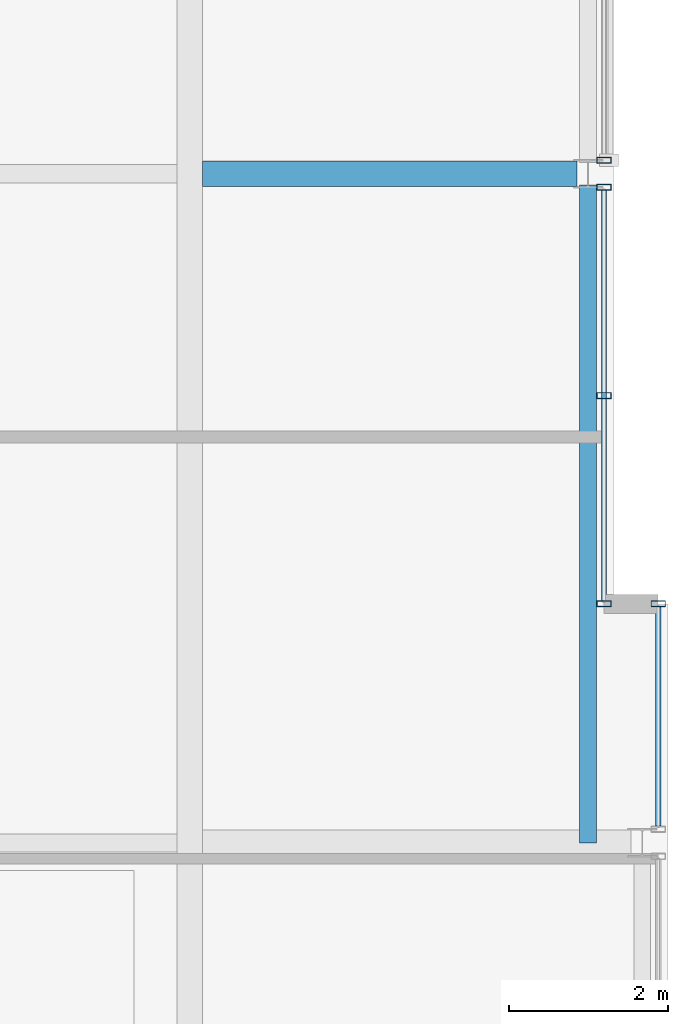
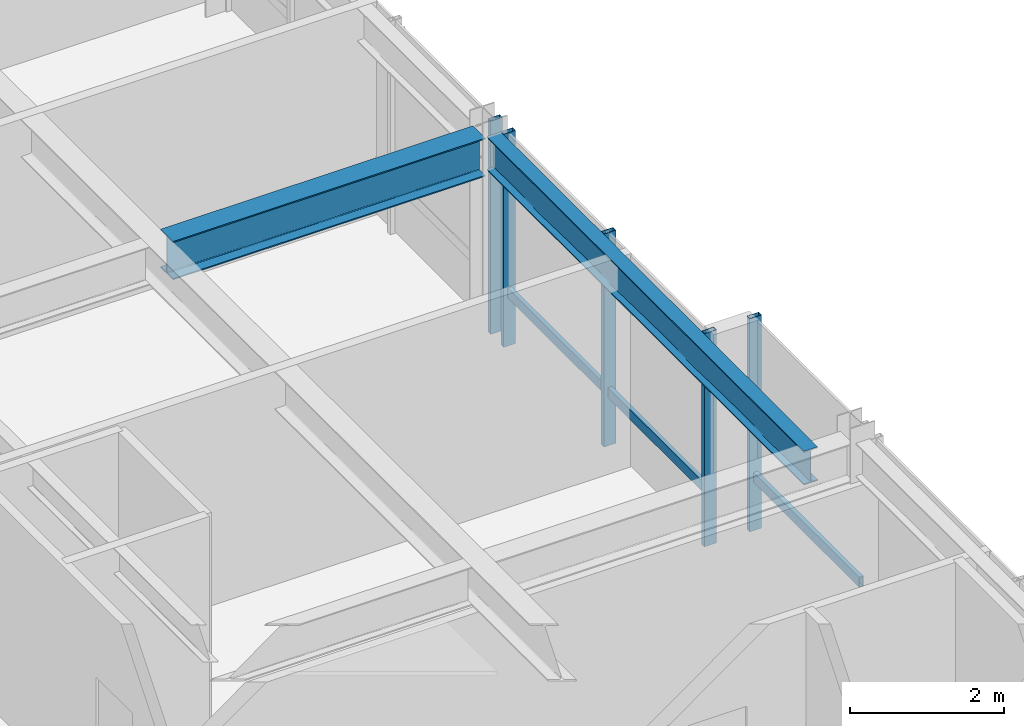
# One storey, part 18 of 34: 7 members, 2 beams, 3 elements without a shape of their own.
"""IFC4 building model written with IfcOpenShell, lengths in metres."""

from ifc_helpers import new_model, si_unit, direction, frame, origin, origin_2d, place, context, subcontext, project, spatial, hollow_rectangle, i_section, extrude, material, layer, layer_set, material_profile, profile_set, type_object, element, aggregate, save


model = new_model("IFC4")

# Units and contexts
model_context = context("Model", 3, precision=1e-05, world=origin(), true_north=direction((0.0, 1.0)))
body_context = subcontext(model_context, "Body", "Model", "MODEL_VIEW")
ifc_project = project(units=[si_unit("LENGTHUNIT", "METRE"), si_unit("AREAUNIT", "SQUARE_METRE"), si_unit("VOLUMEUNIT", "CUBIC_METRE"), si_unit("PLANEANGLEUNIT", "RADIAN"), si_unit("MASSUNIT", "GRAM", prefix="KILO")], contexts=[model_context])

# Site, building, storey
site_placement = place(None, origin())
site = spatial("IfcSite", under=ifc_project, at=site_placement, CompositionType="ELEMENT")
building_placement = place(site_placement, origin())
building = spatial("IfcBuilding", under=site, at=building_placement, Name="Drelvath Grand Hotel", CompositionType="ELEMENT")
storey_placement = place(building_placement, frame((0.0, 0.0, 286.89990234375)))
storey = spatial("IfcBuildingStorey", under=building, at=storey_placement, Name="L75", CompositionType="ELEMENT", Elevation=286.89990234375)

# Curtain wall, member
ifc_material_1 = material(Name="Platinum-Mist Anodised Aluminium Frame", Category="aluminium")
ifc_layer = layer(ifc_material_1, 0.199951171875)
ifc_layer_set = layer_set([ifc_layer], Name="Platinum-Mist Anodised Aluminium Frame")
curtain_wall_type = type_object("IfcCurtainWallType", Name="Stick Curtain Wall CW-05 Platinum Mist High-Rise", PredefinedType="NOTDEFINED", material=ifc_layer_set)
curtain_wall_1_placement = place(storey_placement, origin())
curtain_wall_1 = element("IfcCurtainWall", 1, at=curtain_wall_1_placement, inside=storey, type_object=curtain_wall_type, Name="L75 CW-05 Curtain Wall CW05-L75-EM1", PredefinedType="NOTDEFINED")
ifc_material_profile_1 = material_profile(ifc_material_1, hollow_rectangle(XDim=0.06494140625, YDim=0.159912109375, WallThickness=0.00390625, at=origin_2d()), Name="HSS160X65X4")
ifc_profile_set_1 = profile_set([ifc_material_profile_1], Name="Platinum-Mist Anodised Aluminium Frame")
member_type_1 = type_object("IfcMemberType", Name="Curtain Wall Horizontal Transom CW-05 HSS160X65X4", PredefinedType="USERDEFINED", material=ifc_profile_set_1)
member_1_placement = place(storey_placement, frame((21.39990234375, 26.7900390625, 0.84765625), z_axis=(0.0, -1.0, 0.0), x_axis=(1.0, 0.0, 0.0)))
member_1 = element("IfcMember", 2, at=member_1_placement, type_object=member_type_1, Name="CW05-L75-EM1 Sill Transom", ObjectType="TRANSOM", PredefinedType="USERDEFINED", context=body_context, shape_type="SweptSolid", body=[
    extrude(hollow_rectangle(XDim=0.06494140625, YDim=0.159912109375, WallThickness=0.00390625, at=origin_2d()), origin(), (0.0, 0.0, 1.0), 5.150146484375),
])

curtain_wall_2_placement = place(storey_placement, origin())
curtain_wall_2 = element("IfcCurtainWall", 3, at=curtain_wall_2_placement, inside=storey, type_object=curtain_wall_type, Name="L75 CW-05 Curtain Wall CW05-L75-ES2", PredefinedType="NOTDEFINED")
member_2_placement = place(storey_placement, frame((22.080078125, 21.56005859375, 0.84765625), z_axis=(0.0, -1.0, 0.0), x_axis=(1.0, 0.0, 0.0)))
member_2 = element("IfcMember", 4, at=member_2_placement, type_object=member_type_1, Name="CW05-L75-ES2 Sill Transom", ObjectType="TRANSOM", PredefinedType="USERDEFINED", context=body_context, shape_type="SweptSolid", body=[
    extrude(hollow_rectangle(XDim=0.06494140625, YDim=0.159912109375, WallThickness=0.00390625, at=origin_2d()), origin(), (0.0, 0.0, 1.0), 2.75),
])

# Member
ifc_material_profile_2 = material_profile(ifc_material_1, hollow_rectangle(XDim=0.074951171875, YDim=0.179931640625, WallThickness=0.0048828125, at=origin_2d()), Name="HSS180X75X5")
ifc_profile_set_2 = profile_set([ifc_material_profile_2], Name="Platinum-Mist Anodised Aluminium Frame")
member_type_2 = type_object("IfcMemberType", Name="Curtain Wall Vertical Mullion CW-05 HSS180X75X5", PredefinedType="MULLION", material=ifc_profile_set_2)
member_3_placement = place(storey_placement, frame((21.39990234375, 26.830078125, 0.0), z_axis=(0.0, 0.0, 1.0), x_axis=(0.0, 1.0, 0.0)))
member_3 = element("IfcMember", 5, at=member_3_placement, type_object=member_type_2, Name="CW05-L75-EM1 Mullion 1", PredefinedType="MULLION", context=body_context, shape_type="SweptSolid", body=[
    extrude(hollow_rectangle(XDim=0.074951171875, YDim=0.179931640625, WallThickness=0.0048828125, at=origin_2d()), origin(), (0.0, 0.0, 1.0), 3.39013671875),
])

member_4_placement = place(storey_placement, frame((21.39990234375, 24.215087890625, 0.0), z_axis=(0.0, 0.0, 1.0), x_axis=(0.0, 1.0, 0.0)))
member_4 = element("IfcMember", 6, at=member_4_placement, type_object=member_type_2, Name="CW05-L75-EM1 Mullion 2", PredefinedType="MULLION", context=body_context, shape_type="SweptSolid", body=[
    extrude(hollow_rectangle(XDim=0.074951171875, YDim=0.179931640625, WallThickness=0.0048828125, at=origin_2d()), origin(), (0.0, 0.0, 1.0), 3.39013671875),
])

member_5_placement = place(storey_placement, frame((21.39990234375, 21.60009765625, 0.0), z_axis=(0.0, 0.0, 1.0), x_axis=(0.0, 1.0, 0.0)))
member_5 = element("IfcMember", 7, at=member_5_placement, type_object=member_type_2, Name="CW05-L75-EM1 Mullion 3", PredefinedType="MULLION", context=body_context, shape_type="SweptSolid", body=[
    extrude(hollow_rectangle(XDim=0.074951171875, YDim=0.179931640625, WallThickness=0.0048828125, at=origin_2d()), origin(), (0.0, 0.0, 1.0), 3.39013671875),
])

aggregate(curtain_wall_1, [member_3, member_4, member_5, member_1])

# Curtain wall, member
curtain_wall_3_placement = place(storey_placement, origin())
curtain_wall_3 = element("IfcCurtainWall", 8, at=curtain_wall_3_placement, inside=storey, type_object=curtain_wall_type, Name="L75 CW-05 Curtain Wall CW05-L75-EM2", PredefinedType="NOTDEFINED")
member_6_placement = place(storey_placement, frame((21.39990234375, 27.169921875, 0.0), z_axis=(0.0, 0.0, 1.0), x_axis=(0.0, 1.0, 0.0)))
member_6 = element("IfcMember", 9, at=member_6_placement, type_object=member_type_2, Name="CW05-L75-EM2 Mullion 3", PredefinedType="MULLION", context=body_context, shape_type="SweptSolid", body=[
    extrude(hollow_rectangle(XDim=0.074951171875, YDim=0.179931640625, WallThickness=0.0048828125, at=origin_2d()), origin(), (0.0, 0.0, 1.0), 3.39013671875),
])
aggregate(curtain_wall_3, [member_6])

# Member
member_7_placement = place(storey_placement, frame((22.080078125, 21.60009765625, 0.0), z_axis=(0.0, 0.0, 1.0), x_axis=(0.0, 1.0, 0.0)))
member_7 = element("IfcMember", 10, at=member_7_placement, type_object=member_type_2, Name="CW05-L75-ES2 Mullion 1", PredefinedType="MULLION", context=body_context, shape_type="SweptSolid", body=[
    extrude(hollow_rectangle(XDim=0.074951171875, YDim=0.179931640625, WallThickness=0.0048828125, at=origin_2d()), origin(), (0.0, 0.0, 1.0), 3.39013671875),
])

aggregate(curtain_wall_2, [member_7, member_2])

# Beams
ifc_material_2 = material(Name="Steel ASTM A992 Gr 50", Category="steel")
ifc_material_profile_3 = material_profile(ifc_material_2, i_section(OverallWidth=0.210205078125, OverallDepth=0.53662109375, WebThickness=0.010986328125, FlangeThickness=0.017333984375, FilletRadius=0.01806640625, at=origin_2d()), Name="W21X68")
ifc_profile_set_3 = profile_set([ifc_material_profile_3], Name="Steel ASTM A992 Gr 50")
beam_type_1 = type_object("IfcBeamType", Name="Perimeter Spandrel Beam W21X68", PredefinedType="SPANDREL", material=ifc_profile_set_3)
beam_1_placement = place(storey_placement, frame((21.199951171875, 18.60009765625, 3.121826171875), z_axis=(0.0, 1.0, 0.0), x_axis=(-1.0, 0.0, 0.0)))
element("IfcBeam", 11, at=beam_1_placement, inside=storey, type_object=beam_type_1, Name="L75 Spandrel East Mid S", PredefinedType="SPANDREL", context=body_context, shape_type="SweptSolid", body=[
    extrude(i_section(OverallWidth=0.210205078125, OverallDepth=0.53662109375, WebThickness=0.010986328125, FlangeThickness=0.017333984375, FilletRadius=0.01806640625, at=origin_2d()), origin(), (0.0, 0.0, 1.0), 8.260009765625),
])
ifc_material_profile_4 = material_profile(ifc_material_2, i_section(OverallWidth=0.323974609375, OverallDepth=0.611083984375, WebThickness=0.0126953125, FlangeThickness=0.01904296875, FilletRadius=0.02197265625, at=origin_2d()), Name="W24X104")
ifc_profile_set_4 = profile_set([ifc_material_profile_4], Name="Steel ASTM A992 Gr 50")
beam_type_2 = type_object("IfcBeamType", Name="Primary Floor Girder W24X104", PredefinedType="BEAM", material=ifc_profile_set_4)
beam_2_placement = place(storey_placement, frame((16.362060546875, 27.0, 3.084716796875), z_axis=(1.0, 0.0, 0.0), x_axis=(0.0, 1.0, 0.0)))
element("IfcBeam", 12, at=beam_2_placement, inside=storey, type_object=beam_type_2, Name="L75 East Wing Girder E", PredefinedType="BEAM", context=body_context, shape_type="SweptSolid", body=[
    extrude(i_section(OverallWidth=0.323974609375, OverallDepth=0.611083984375, WebThickness=0.0126953125, FlangeThickness=0.01904296875, FilletRadius=0.02197265625, at=origin_2d()), origin(), (0.0, 0.0, 1.0), 4.697998046875),
])

save(model, "model.ifc")
